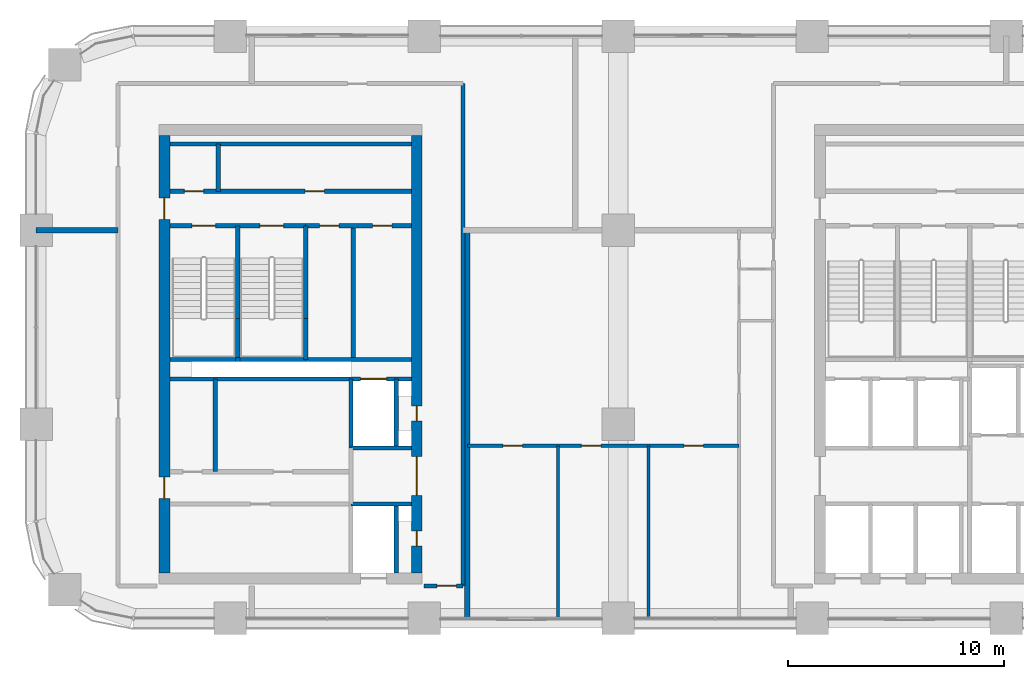
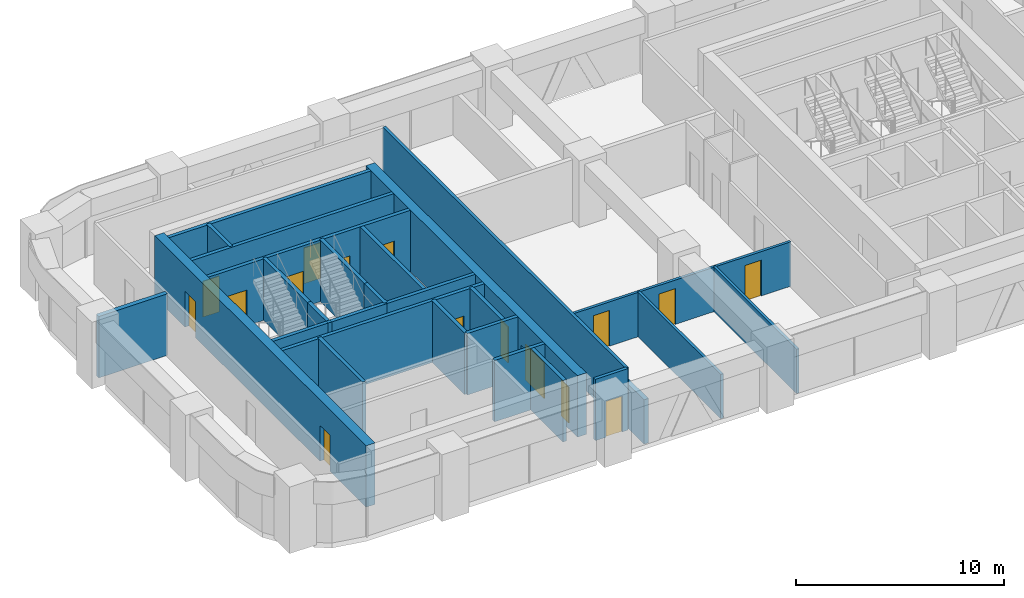
# One storey, part 9 of 19: 30 walls, 16 doors, 16 openings.
"""IFC4 building model written with IfcOpenShell, lengths in metres."""

from ifc_helpers import new_model, si_unit, direction, frame, frame_2d, origin, place, context, subcontext, project, spatial, rectangle, extrude, material, layer, layer_set, type_object, element, fill, save


model = new_model("IFC4")

# Units and contexts
model_context = context("Model", 3, precision=1e-05, world=origin(), true_north=direction((0.0, 1.0)))
body_context = subcontext(model_context, "Body", "Model", "MODEL_VIEW")
ifc_project = project(units=[si_unit("LENGTHUNIT", "METRE"), si_unit("AREAUNIT", "SQUARE_METRE"), si_unit("VOLUMEUNIT", "CUBIC_METRE"), si_unit("PLANEANGLEUNIT", "RADIAN"), si_unit("MASSUNIT", "GRAM", prefix="KILO")], contexts=[model_context])

# Site, building, storey
site_placement = place(None, origin())
site = spatial("IfcSite", under=ifc_project, at=site_placement, CompositionType="ELEMENT")
building_placement = place(site_placement, origin())
building = spatial("IfcBuilding", under=site, at=building_placement, Name="Tessera Arch", CompositionType="ELEMENT")
storey_placement = place(building_placement, frame((0.0, 0.0, 170.0)))
storey = spatial("IfcBuildingStorey", under=building, at=storey_placement, Name="L40", CompositionType="ELEMENT", Elevation=170.0)

# Walls
ifc_material_1 = material(Name="Gypsum board on steel stud", Category="steel")
ifc_layer_1 = layer(ifc_material_1, 0.125)
ifc_layer_set_1 = layer_set([ifc_layer_1], Name="Core partition 125 EI 60")
wall_type_1 = type_object("IfcWallType", Name="Core partition 125 EI 60", PredefinedType="PARTITIONING", material=ifc_layer_set_1)
wall_1_placement = place(storey_placement, frame((8.300048828125, 33.800048828125, 0.0), z_axis=(0.0, 0.0, 1.0), x_axis=(0.0, 1.0, 0.0)))
element("IfcWall", 1, at=wall_1_placement, inside=storey, type_object=wall_type_1, Name="L40 C2 partition wall 1", PredefinedType="PARTITIONING", context=body_context, shape_type="SweptSolid", body=[
    extrude(rectangle(XDim=4.300048828125, YDim=0.199951171875, at=frame_2d((2.14990234375, 0.0))), origin(), (0.0, 0.0, 1.0), 3.60009765625),
])
wall_2_placement = place(storey_placement, frame((8.43994140625, 46.800048828125, 0.0), z_axis=(0.0, 0.0, 1.0), x_axis=(0.0, 1.0, 0.0)))
element("IfcWall", 2, at=wall_2_placement, inside=storey, type_object=wall_type_1, Name="L40 C2 partition wall 2", PredefinedType="PARTITIONING", context=body_context, shape_type="SweptSolid", body=[
    extrude(rectangle(XDim=2.199951171875, YDim=0.199951171875, at=frame_2d((1.10009765625, 0.0))), origin(), (0.0, 0.0, 1.0), 3.60009765625),
])
wall_3_placement = place(storey_placement, frame((14.705078125, 39.0, 0.0), z_axis=(0.0, 0.0, 1.0), x_axis=(0.0, 1.0, 0.0)))
element("IfcWall", 3, at=wall_3_placement, inside=storey, type_object=wall_type_1, Name="L40 C2 partition wall 10", PredefinedType="PARTITIONING", context=body_context, shape_type="SweptSolid", body=[
    extrude(rectangle(XDim=6.199951171875, YDim=0.199951171875, at=frame_2d((3.10009765625, 0.0))), origin(), (0.0, 0.0, 1.0), 3.60009765625),
])

# Wall, openings, doors
wall_4_placement = place(storey_placement, frame((12.5, 45.199951171875, 0.0), z_axis=(0.0, 0.0, 1.0), x_axis=(1.0, 0.0, 0.0)))
wall_4 = element("IfcWall", 4, at=wall_4_placement, inside=storey, type_object=wall_type_1, Name="L40 C2 partition wall 22", PredefinedType="PARTITIONING", context=body_context, shape_type="SweptSolid", body=[
    extrude(rectangle(XDim=4.89990234375, YDim=0.199951171875, at=frame_2d((2.449951171875, 0.0))), origin(), (0.0, 0.0, 1.0), 3.60009765625),
])
opening_1_placement = place(wall_4_placement, frame((0.652587890625, 0.0, 0.0)))
opening_1 = element("IfcOpeningElement", 5, at=opening_1_placement, cuts=wall_4, Name="Opening L40-C30", PredefinedType="OPENING", context=body_context, shape_type="SweptSolid", body=[
    extrude(rectangle(XDim=0.89990234375, YDim=2.10009765625, at=frame_2d((0.449951171875, 1.050048828125))), frame((0.0, 0.10986328125, 0.0), z_axis=(0.0, -1.0, 0.0), x_axis=(1.0, 0.0, 0.0)), (0.0, 0.0, 1.0), 0.219970703125),
])
opening_2_placement = place(wall_4_placement, frame((3.1025390625, 0.0, 0.0)))
opening_2 = element("IfcOpeningElement", 6, at=opening_2_placement, cuts=wall_4, Name="Opening L40-C31", PredefinedType="OPENING", context=body_context, shape_type="SweptSolid", body=[
    extrude(rectangle(XDim=0.89990234375, YDim=2.10009765625, at=frame_2d((0.449951171875, 1.050048828125))), frame((0.0, 0.10986328125, 0.0), z_axis=(0.0, -1.0, 0.0), x_axis=(1.0, 0.0, 0.0)), (0.0, 0.0, 1.0), 0.219970703125),
])
ifc_material_2 = material(Name="Steel door leaf", Category="steel")
door_type_1 = type_object("IfcDoorType", Name="Store door FD30S 900 x 2100", OperationType="SINGLE_SWING_LEFT", PredefinedType="DOOR", material=ifc_material_2)
door_1_placement = place(opening_1_placement, origin())
door_1 = element("IfcDoor", 7, at=door_1_placement, inside=storey, type_object=door_type_1, Name="L40 C2 door 12 C30 type D09", OperationType="SINGLE_SWING_LEFT", OverallHeight=2.10009765625, OverallWidth=0.89990234375, PredefinedType="DOOR", context=body_context, shape_type="SweptSolid", body=[
    extrude(rectangle(XDim=0.89990234375, YDim=2.10009765625, at=frame_2d((0.449951171875, 1.050048828125))), frame((0.0, 0.02490234375, 0.0), z_axis=(0.0, -1.0, 0.0), x_axis=(1.0, 0.0, 0.0)), (0.0, 0.0, 1.0), 0.050048828125),
])
fill(opening_1, door_1)
door_2_placement = place(opening_2_placement, origin())
door_2 = element("IfcDoor", 8, at=door_2_placement, inside=storey, type_object=door_type_1, Name="L40 C2 door 13 C31 type D09", OperationType="SINGLE_SWING_RIGHT", OverallHeight=2.10009765625, OverallWidth=0.89990234375, PredefinedType="DOOR", context=body_context, shape_type="SweptSolid", body=[
    extrude(rectangle(XDim=0.89990234375, YDim=2.10009765625, at=frame_2d((0.449951171875, 1.050048828125))), frame((0.0, 0.02490234375, 0.0), z_axis=(0.0, -1.0, 0.0), x_axis=(1.0, 0.0, 0.0)), (0.0, 0.0, 1.0), 0.050048828125),
])
fill(opening_2, door_2)

wall_5_placement = place(storey_placement, frame((6.199951171875, 46.800048828125, 0.0), z_axis=(0.0, 0.0, 1.0), x_axis=(1.0, 0.0, 0.0)))
wall_5 = element("IfcWall", 9, at=wall_5_placement, inside=storey, type_object=wall_type_1, Name="L40 C2 partition wall 24", PredefinedType="PARTITIONING", context=body_context, shape_type="SweptSolid", body=[
    extrude(rectangle(XDim=11.199951171875, YDim=0.199951171875, at=frame_2d((5.60009765625, 0.0))), origin(), (0.0, 0.0, 1.0), 3.60009765625),
])
opening_3_placement = place(wall_5_placement, frame((0.669921875, 0.0, 0.0)))
opening_3 = element("IfcOpeningElement", 10, at=opening_3_placement, cuts=wall_5, Name="Opening L40-C28", PredefinedType="OPENING", context=body_context, shape_type="SweptSolid", body=[
    extrude(rectangle(XDim=0.89990234375, YDim=2.10009765625, at=frame_2d((0.449951171875, 1.050048828125))), frame((0.0, 0.10986328125, 0.0), z_axis=(0.0, -1.0, 0.0), x_axis=(1.0, 0.0, 0.0)), (0.0, 0.0, 1.0), 0.219970703125),
])
opening_4_placement = place(wall_5_placement, frame((6.27001953125, 0.0, 0.0)))
opening_4 = element("IfcOpeningElement", 11, at=opening_4_placement, cuts=wall_5, Name="Opening L40-C29", PredefinedType="OPENING", context=body_context, shape_type="SweptSolid", body=[
    extrude(rectangle(XDim=0.89990234375, YDim=2.10009765625, at=frame_2d((0.449951171875, 1.050048828125))), frame((0.0, 0.10986328125, 0.0), z_axis=(0.0, -1.0, 0.0), x_axis=(1.0, 0.0, 0.0)), (0.0, 0.0, 1.0), 0.219970703125),
])
door_3_placement = place(opening_3_placement, origin())
door_3 = element("IfcDoor", 12, at=door_3_placement, inside=storey, type_object=door_type_1, Name="L40 C2 door 10 C28 type D09", OperationType="SINGLE_SWING_LEFT", OverallHeight=2.10009765625, OverallWidth=0.89990234375, PredefinedType="DOOR", context=body_context, shape_type="SweptSolid", body=[
    extrude(rectangle(XDim=0.89990234375, YDim=2.10009765625, at=frame_2d((0.449951171875, 1.050048828125))), frame((0.0, 0.02490234375, 0.0), z_axis=(0.0, -1.0, 0.0), x_axis=(1.0, 0.0, 0.0)), (0.0, 0.0, 1.0), 0.050048828125),
])
fill(opening_3, door_3)
door_4_placement = place(opening_4_placement, origin())
door_4 = element("IfcDoor", 13, at=door_4_placement, inside=storey, type_object=door_type_1, Name="L40 C2 door 11 C29 type D09", OperationType="SINGLE_SWING_RIGHT", OverallHeight=2.10009765625, OverallWidth=0.89990234375, PredefinedType="DOOR", context=body_context, shape_type="SweptSolid", body=[
    extrude(rectangle(XDim=0.89990234375, YDim=2.10009765625, at=frame_2d((0.449951171875, 1.050048828125))), frame((0.0, 0.02490234375, 0.0), z_axis=(0.0, -1.0, 0.0), x_axis=(1.0, 0.0, 0.0)), (0.0, 0.0, 1.0), 0.050048828125),
])
fill(opening_4, door_4)

# Wall
wall_6_placement = place(storey_placement, frame((6.199951171875, 49.0, 0.0), z_axis=(0.0, 0.0, 1.0), x_axis=(1.0, 0.0, 0.0)))
element("IfcWall", 14, at=wall_6_placement, inside=storey, type_object=wall_type_1, Name="L40 C2 partition wall 25", PredefinedType="PARTITIONING", context=body_context, shape_type="SweptSolid", body=[
    extrude(rectangle(XDim=11.199951171875, YDim=0.199951171875, at=frame_2d((5.60009765625, 0.0))), origin(), (0.0, 0.0, 1.0), 3.60009765625),
])

# Wall, openings, doors
ifc_material_3 = material(Name="Concrete C60/75", Category="concrete")
ifc_layer_2 = layer(ifc_material_3, 0.5)
ifc_layer_set_2 = layer_set([ifc_layer_2], Name="Core shell wall 500 C60-75")
wall_type_2 = type_object("IfcWallType", Name="Core shell wall 500 C60-75", PredefinedType="SHEAR", material=ifc_layer_set_2)
wall_7_placement = place(storey_placement, frame((5.949951171875, 29.10009765625, 0.0), z_axis=(0.0, 0.0, 1.0), x_axis=(0.0, 1.0, 0.0)))
wall_7 = element("IfcWall", 15, at=wall_7_placement, inside=storey, type_object=wall_type_2, Name="L40 C2 core wall W", PredefinedType="SHEAR", context=body_context, shape_type="SweptSolid", body=[
    extrude(rectangle(XDim=20.2998046875, YDim=0.5, at=frame_2d((10.14990234375, 0.0))), origin(), (0.0, 0.0, 1.0), 3.60009765625),
])
opening_5_placement = place(wall_7_placement, frame((3.449951171875, 0.0, 0.0)))
opening_5 = element("IfcOpeningElement", 16, at=opening_5_placement, cuts=wall_7, Name="Opening L40-C26", PredefinedType="OPENING", context=body_context, shape_type="SweptSolid", body=[
    extrude(rectangle(XDim=1.0, YDim=2.10009765625, at=frame_2d((0.5, 1.050048828125))), frame((0.0, 0.260009765625, 0.0), z_axis=(0.0, -1.0, 0.0), x_axis=(1.0, 0.0, 0.0)), (0.0, 0.0, 1.0), 0.52001953125),
])
opening_6_placement = place(wall_7_placement, frame((16.39990234375, 0.0, 0.0)))
opening_6 = element("IfcOpeningElement", 17, at=opening_6_placement, cuts=wall_7, Name="Opening L40-C27", PredefinedType="OPENING", context=body_context, shape_type="SweptSolid", body=[
    extrude(rectangle(XDim=1.0, YDim=2.10009765625, at=frame_2d((0.5, 1.050048828125))), frame((0.0, 0.260009765625, 0.0), z_axis=(0.0, -1.0, 0.0), x_axis=(1.0, 0.0, 0.0)), (0.0, 0.0, 1.0), 0.52001953125),
])
ifc_material_4 = material(Name="Steel door leaf", Category="steel")
door_type_2 = type_object("IfcDoorType", Name="Corridor door FD60 1000 x 2100", OperationType="SINGLE_SWING_LEFT", PredefinedType="DOOR", material=ifc_material_4)
door_5_placement = place(opening_5_placement, origin())
door_5 = element("IfcDoor", 18, at=door_5_placement, inside=storey, type_object=door_type_2, Name="L40 C2 door 8 C26 type D12", OperationType="SINGLE_SWING_LEFT", OverallHeight=2.10009765625, OverallWidth=1.0, PredefinedType="DOOR", context=body_context, shape_type="SweptSolid", body=[
    extrude(rectangle(XDim=1.0, YDim=2.10009765625, at=frame_2d((0.5, 1.050048828125))), frame((0.0, 0.02490234375, 0.0), z_axis=(0.0, -1.0, 0.0), x_axis=(1.0, 0.0, 0.0)), (0.0, 0.0, 1.0), 0.050048828125),
])
fill(opening_5, door_5)
door_6_placement = place(opening_6_placement, origin())
door_6 = element("IfcDoor", 19, at=door_6_placement, inside=storey, type_object=door_type_2, Name="L40 C2 door 9 C27 type D12", OperationType="SINGLE_SWING_RIGHT", OverallHeight=2.10009765625, OverallWidth=1.0, PredefinedType="DOOR", context=body_context, shape_type="SweptSolid", body=[
    extrude(rectangle(XDim=1.0, YDim=2.10009765625, at=frame_2d((0.5, 1.050048828125))), frame((0.0, 0.02490234375, 0.0), z_axis=(0.0, -1.0, 0.0), x_axis=(1.0, 0.0, 0.0)), (0.0, 0.0, 1.0), 0.050048828125),
])
fill(opening_6, door_6)

wall_8_placement = place(storey_placement, frame((17.64990234375, 29.10009765625, 0.0), z_axis=(0.0, 0.0, 1.0), x_axis=(0.0, 1.0, 0.0)))
wall_8 = element("IfcWall", 20, at=wall_8_placement, inside=storey, type_object=wall_type_2, Name="L40 C2 core wall E", PredefinedType="SHEAR", context=body_context, shape_type="SweptSolid", body=[
    extrude(rectangle(XDim=20.2998046875, YDim=0.5, at=frame_2d((10.14990234375, 0.0))), origin(), (0.0, 0.0, 1.0), 3.60009765625),
])
opening_7_placement = place(wall_8_placement, frame((1.25, 0.0, 0.0)))
opening_7 = element("IfcOpeningElement", 21, at=opening_7_placement, cuts=wall_8, Name="Opening L40-C21", PredefinedType="OPENING", context=body_context, shape_type="SweptSolid", body=[
    extrude(rectangle(XDim=0.699951171875, YDim=2.10009765625, at=frame_2d((0.35009765625, 1.050048828125))), frame((0.0, 0.260009765625, 0.0), z_axis=(0.0, -1.0, 0.0), x_axis=(1.0, 0.0, 0.0)), (0.0, 0.0, 1.0), 0.52001953125),
])
opening_8_placement = place(wall_8_placement, frame((7.050048828125, 0.0, 0.0)))
opening_8 = element("IfcOpeningElement", 22, at=opening_8_placement, cuts=wall_8, Name="Opening L40-C22", PredefinedType="OPENING", context=body_context, shape_type="SweptSolid", body=[
    extrude(rectangle(XDim=0.699951171875, YDim=2.10009765625, at=frame_2d((0.35009765625, 1.050048828125))), frame((0.0, 0.260009765625, 0.0), z_axis=(0.0, -1.0, 0.0), x_axis=(1.0, 0.0, 0.0)), (0.0, 0.0, 1.0), 0.52001953125),
])
opening_9_placement = place(wall_8_placement, frame((3.60009765625, 0.0, 0.0)))
opening_9 = element("IfcOpeningElement", 23, at=opening_9_placement, cuts=wall_8, Name="Opening L40-C25", PredefinedType="OPENING", context=body_context, shape_type="SweptSolid", body=[
    extrude(rectangle(XDim=1.800048828125, YDim=2.10009765625, at=frame_2d((0.89990234375, 1.050048828125))), frame((0.0, 0.260009765625, 0.0), z_axis=(0.0, -1.0, 0.0), x_axis=(1.0, 0.0, 0.0)), (0.0, 0.0, 1.0), 0.52001953125),
])
ifc_material_5 = material(Name="Glazed steel door leaf", Category="steel")
door_type_3 = type_object("IfcDoorType", Name="Lobby double door FD30S 1800 x 2100", OperationType="DOUBLE_DOOR_SINGLE_SWING", PredefinedType="DOOR", material=ifc_material_5)
door_7_placement = place(opening_9_placement, origin())
door_7 = element("IfcDoor", 24, at=door_7_placement, inside=storey, type_object=door_type_3, Name="L40 C2 door 7 C25 type D06", OperationType="DOUBLE_DOOR_SINGLE_SWING", OverallHeight=2.10009765625, OverallWidth=1.800048828125, PredefinedType="DOOR", context=body_context, shape_type="SweptSolid", body=[
    extrude(rectangle(XDim=1.800048828125, YDim=2.10009765625, at=frame_2d((0.89990234375, 1.050048828125))), frame((0.0, 0.02490234375, 0.0), z_axis=(0.0, -1.0, 0.0), x_axis=(1.0, 0.0, 0.0)), (0.0, 0.0, 1.0), 0.050048828125),
])
fill(opening_9, door_7)
ifc_material_6 = material(Name="Steel door leaf", Category="steel")
door_type_4 = type_object("IfcDoorType", Name="Service shaft door FD60 700 x 2100", OperationType="SINGLE_SWING_LEFT", PredefinedType="DOOR", material=ifc_material_6)
door_8_placement = place(opening_7_placement, origin())
door_8 = element("IfcDoor", 25, at=door_8_placement, inside=storey, type_object=door_type_4, Name="L40 C2 door 3 C21 type D07", OperationType="SINGLE_SWING_LEFT", OverallHeight=2.10009765625, OverallWidth=0.699951171875, PredefinedType="DOOR", context=body_context, shape_type="SweptSolid", body=[
    extrude(rectangle(XDim=0.699951171875, YDim=2.10009765625, at=frame_2d((0.35009765625, 1.050048828125))), frame((0.0, 0.02490234375, 0.0), z_axis=(0.0, -1.0, 0.0), x_axis=(1.0, 0.0, 0.0)), (0.0, 0.0, 1.0), 0.050048828125),
])
fill(opening_7, door_8)
door_9_placement = place(opening_8_placement, origin())
door_9 = element("IfcDoor", 26, at=door_9_placement, inside=storey, type_object=door_type_4, Name="L40 C2 door 4 C22 type D07", OperationType="SINGLE_SWING_LEFT", OverallHeight=2.10009765625, OverallWidth=0.699951171875, PredefinedType="DOOR", context=body_context, shape_type="SweptSolid", body=[
    extrude(rectangle(XDim=0.699951171875, YDim=2.10009765625, at=frame_2d((0.35009765625, 1.050048828125))), frame((0.0, 0.02490234375, 0.0), z_axis=(0.0, -1.0, 0.0), x_axis=(1.0, 0.0, 0.0)), (0.0, 0.0, 1.0), 0.050048828125),
])
fill(opening_8, door_9)

# Wall, opening, door
ifc_material_7 = material(Name="Gypsum board on deep steel stud with mineral wool", Category="steel")
ifc_layer_3 = layer(ifc_material_7, 0.175048828125)
ifc_layer_set_3 = layer_set([ifc_layer_3], Name="Corridor wall 175 EI 60")
wall_type_3 = type_object("IfcWallType", Name="Corridor wall 175 EI 60", PredefinedType="PARTITIONING", material=ifc_layer_set_3)
wall_9_placement = place(storey_placement, frame((18.0, 28.5, 0.0), z_axis=(0.0, 0.0, 1.0), x_axis=(1.0, 0.0, 0.0)))
wall_9 = element("IfcWall", 27, at=wall_9_placement, inside=storey, type_object=wall_type_3, Name="L40 partition 2", PredefinedType="PARTITIONING", context=body_context, shape_type="SweptSolid", body=[
    extrude(rectangle(XDim=1.800048828125, YDim=0.175048828125, at=frame_2d((0.89990234375, 0.0))), origin(), (0.0, 0.0, 1.0), 3.60009765625),
])
opening_10_placement = place(wall_9_placement, frame((0.590087890625, 0.0, 0.0)))
opening_10 = element("IfcOpeningElement", 28, at=opening_10_placement, cuts=wall_9, Name="Opening L40-D001", PredefinedType="OPENING", context=body_context, shape_type="SweptSolid", body=[
    extrude(rectangle(XDim=0.89990234375, YDim=2.10009765625, at=frame_2d((0.449951171875, 1.050048828125))), frame((0.0, 0.097412109375, 0.0), z_axis=(0.0, -1.0, 0.0), x_axis=(1.0, 0.0, 0.0)), (0.0, 0.0, 1.0), 0.195068359375),
])
ifc_material_8 = material(Name="Timber door leaf", Category="wood")
door_type_5 = type_object("IfcDoorType", Name="Room door 900 x 2100", OperationType="SINGLE_SWING_LEFT", PredefinedType="DOOR", material=ifc_material_8)
door_10_placement = place(opening_10_placement, origin())
door_10 = element("IfcDoor", 29, at=door_10_placement, inside=storey, type_object=door_type_5, Name="L40 door D001 type D01", OperationType="SINGLE_SWING_RIGHT", OverallHeight=2.10009765625, OverallWidth=0.89990234375, PredefinedType="DOOR", context=body_context, shape_type="SweptSolid", body=[
    extrude(rectangle(XDim=0.89990234375, YDim=2.10009765625, at=frame_2d((0.449951171875, 1.050048828125))), frame((0.0, 0.02490234375, 0.0), z_axis=(0.0, -1.0, 0.0), x_axis=(1.0, 0.0, 0.0)), (0.0, 0.0, 1.0), 0.050048828125),
])
fill(opening_10, door_10)

# Wall
wall_10_placement = place(storey_placement, frame((19.800048828125, 28.5, 0.0), z_axis=(0.0, 0.0, 1.0), x_axis=(0.0, 1.0, 0.0)))
element("IfcWall", 30, at=wall_10_placement, inside=storey, type_object=wall_type_3, Name="L40 partition 8", PredefinedType="PARTITIONING", context=body_context, shape_type="SweptSolid", body=[
    extrude(rectangle(XDim=23.300048828125, YDim=0.175048828125, at=frame_2d((11.64990234375, 0.0))), origin(), (0.0, 0.0, 1.0), 3.60009765625),
])

# Wall, openings, doors
ifc_material_9 = material(Name="Gypsum board on steel stud", Category="steel")
ifc_layer_4 = layer(ifc_material_9, 0.14990234375)
ifc_layer_set_4 = layer_set([ifc_layer_4], Name="Partition 150")
wall_type_4 = type_object("IfcWallType", Name="Partition 150", PredefinedType="PARTITIONING", material=ifc_layer_set_4)
wall_11_placement = place(storey_placement, frame((20.0, 35.0, 0.0), z_axis=(0.0, 0.0, 1.0), x_axis=(1.0, 0.0, 0.0)))
wall_11 = element("IfcWall", 31, at=wall_11_placement, inside=storey, type_object=wall_type_4, Name="L40 partition 11", PredefinedType="PARTITIONING", context=body_context, shape_type="SweptSolid", body=[
    extrude(rectangle(XDim=12.60009765625, YDim=0.14990234375, at=frame_2d((6.300048828125, 0.0))), origin(), (0.0, 0.0, 1.0), 2.60009765625),
])
opening_11_placement = place(wall_11_placement, frame((10.050048828125, 0.0, 0.0)))
opening_11 = element("IfcOpeningElement", 32, at=opening_11_placement, cuts=wall_11, Name="Opening L40-D008", PredefinedType="OPENING", context=body_context, shape_type="SweptSolid", body=[
    extrude(rectangle(XDim=0.89990234375, YDim=2.10009765625, at=frame_2d((0.449951171875, 1.050048828125))), frame((0.0, 0.0849609375, 0.0), z_axis=(0.0, -1.0, 0.0), x_axis=(1.0, 0.0, 0.0)), (0.0, 0.0, 1.0), 0.169921875),
])
opening_12_placement = place(wall_11_placement, frame((5.2900390625, 0.0, 0.0)))
opening_12 = element("IfcOpeningElement", 33, at=opening_12_placement, cuts=wall_11, Name="Opening L40-D009", PredefinedType="OPENING", context=body_context, shape_type="SweptSolid", body=[
    extrude(rectangle(XDim=0.89990234375, YDim=2.10009765625, at=frame_2d((0.449951171875, 1.050048828125))), frame((0.0, 0.0849609375, 0.0), z_axis=(0.0, -1.0, 0.0), x_axis=(1.0, 0.0, 0.0)), (0.0, 0.0, 1.0), 0.169921875),
])
opening_13_placement = place(wall_11_placement, frame((1.64990234375, 0.0, 0.0)))
opening_13 = element("IfcOpeningElement", 34, at=opening_13_placement, cuts=wall_11, Name="Opening L40-D010", PredefinedType="OPENING", context=body_context, shape_type="SweptSolid", body=[
    extrude(rectangle(XDim=0.89990234375, YDim=2.10009765625, at=frame_2d((0.449951171875, 1.050048828125))), frame((0.0, 0.0849609375, 0.0), z_axis=(0.0, -1.0, 0.0), x_axis=(1.0, 0.0, 0.0)), (0.0, 0.0, 1.0), 0.169921875),
])
door_11_placement = place(opening_11_placement, origin())
door_11 = element("IfcDoor", 35, at=door_11_placement, inside=storey, type_object=door_type_5, Name="L40 door D008 type D01", OperationType="SINGLE_SWING_LEFT", OverallHeight=2.10009765625, OverallWidth=0.89990234375, PredefinedType="DOOR", context=body_context, shape_type="SweptSolid", body=[
    extrude(rectangle(XDim=0.89990234375, YDim=2.10009765625, at=frame_2d((0.449951171875, 1.050048828125))), frame((0.0, 0.02490234375, 0.0), z_axis=(0.0, -1.0, 0.0), x_axis=(1.0, 0.0, 0.0)), (0.0, 0.0, 1.0), 0.050048828125),
])
fill(opening_11, door_11)
door_12_placement = place(opening_12_placement, origin())
door_12 = element("IfcDoor", 36, at=door_12_placement, inside=storey, type_object=door_type_5, Name="L40 door D009 type D01", OperationType="SINGLE_SWING_LEFT", OverallHeight=2.10009765625, OverallWidth=0.89990234375, PredefinedType="DOOR", context=body_context, shape_type="SweptSolid", body=[
    extrude(rectangle(XDim=0.89990234375, YDim=2.10009765625, at=frame_2d((0.449951171875, 1.050048828125))), frame((0.0, 0.02490234375, 0.0), z_axis=(0.0, -1.0, 0.0), x_axis=(1.0, 0.0, 0.0)), (0.0, 0.0, 1.0), 0.050048828125),
])
fill(opening_12, door_12)
door_13_placement = place(opening_13_placement, origin())
door_13 = element("IfcDoor", 37, at=door_13_placement, inside=storey, type_object=door_type_5, Name="L40 door D010 type D01", OperationType="SINGLE_SWING_LEFT", OverallHeight=2.10009765625, OverallWidth=0.89990234375, PredefinedType="DOOR", context=body_context, shape_type="SweptSolid", body=[
    extrude(rectangle(XDim=0.89990234375, YDim=2.10009765625, at=frame_2d((0.449951171875, 1.050048828125))), frame((0.0, 0.02490234375, 0.0), z_axis=(0.0, -1.0, 0.0), x_axis=(1.0, 0.0, 0.0)), (0.0, 0.0, 1.0), 0.050048828125),
])
fill(opening_13, door_13)

# Walls
for number, where, z_axis, x_axis, name in (
    (38, (24.199951171875, 27.0, 0.0), (0.0, 0.0, 1.0), (0.0, 1.0, 0.0), "L40 partition 12"),
    (39, (28.39990234375, 27.0, 0.0), (0.0, 0.0, 1.0), (0.0, 1.0, 0.0), "L40 partition 13"),
):
    element("IfcWall", number, at=place(storey_placement, frame(where, z_axis=z_axis, x_axis=x_axis)), inside=storey, type_object=wall_type_4, Name=name, PredefinedType="PARTITIONING", context=body_context, shape_type="SweptSolid", body=[
        extrude(rectangle(XDim=8.0, YDim=0.14990234375, at=frame_2d((4.0, 0.0))), origin(), (0.0, 0.0, 1.0), 2.60009765625),
    ])
ifc_material_10 = material(Name="Double gypsum board on twin steel stud with acoustic mineral wool", Category="steel")
ifc_layer_5 = layer(ifc_material_10, 0.25)
ifc_layer_set_5 = layer_set([ifc_layer_5], Name="Party wall 250 EI 60")
wall_type_5 = type_object("IfcWallType", Name="Party wall 250 EI 60", PredefinedType="PARTITIONING", material=ifc_layer_set_5)
wall_12_placement = place(storey_placement, frame((0.0, 45.0, 0.0), z_axis=(0.0, 0.0, 1.0), x_axis=(1.0, 0.0, 0.0)))
element("IfcWall", 40, at=wall_12_placement, inside=storey, type_object=wall_type_5, Name="L40 partition 16", PredefinedType="PARTITIONING", context=body_context, shape_type="SweptSolid", body=[
    extrude(rectangle(XDim=3.800048828125, YDim=0.25, at=frame_2d((1.89990234375, 0.0))), origin(), (0.0, 0.0, 1.0), 3.60009765625),
])
wall_13_placement = place(storey_placement, frame((20.0, 27.0, 0.0), z_axis=(0.0, 0.0, 1.0), x_axis=(0.0, 1.0, 0.0)))
element("IfcWall", 41, at=wall_13_placement, inside=storey, type_object=wall_type_5, Name="L40 partition 21", PredefinedType="PARTITIONING", context=body_context, shape_type="SweptSolid", body=[
    extrude(rectangle(XDim=18.0, YDim=0.25, at=frame_2d((9.0, 0.0))), origin(), (0.0, 0.0, 1.0), 2.60009765625),
])
ifc_material_11 = material(Name="Concrete C40/50", Category="concrete")
ifc_layer_6 = layer(ifc_material_11, 0.199951171875)
ifc_layer_set_6 = layer_set([ifc_layer_6], Name="Shaft wall 200 EI 120")
wall_type_6 = type_object("IfcWallType", Name="Shaft wall 200 EI 120", PredefinedType="SOLIDWALL", material=ifc_layer_set_6)
wall_14_placement = place(storey_placement, frame((14.60009765625, 34.89990234375, 0.0), z_axis=(0.0, 0.0, 1.0), x_axis=(0.0, 1.0, 0.0)))
element("IfcWall", 42, at=wall_14_placement, inside=storey, type_object=wall_type_6, Name="L40 C2 shaft wall 9", PredefinedType="SOLIDWALL", context=body_context, shape_type="SweptSolid", body=[
    extrude(rectangle(XDim=3.2001953125, YDim=0.199951171875, at=frame_2d((1.60009765625, 0.0))), origin(), (0.0, 0.0, 1.0), 3.60009765625),
])
wall_15_placement = place(storey_placement, frame((16.699951171875, 29.10009765625, 0.0), z_axis=(0.0, 0.0, 1.0), x_axis=(0.0, 1.0, 0.0)))
element("IfcWall", 43, at=wall_15_placement, inside=storey, type_object=wall_type_6, Name="L40 C2 shaft wall 11", PredefinedType="SOLIDWALL", context=body_context, shape_type="SweptSolid", body=[
    extrude(rectangle(XDim=3.199951171875, YDim=0.199951171875, at=frame_2d((1.60009765625, 0.0))), origin(), (0.0, 0.0, 1.0), 3.60009765625),
])
wall_16_placement = place(storey_placement, frame((16.699951171875, 34.89990234375, 0.0), z_axis=(0.0, 0.0, 1.0), x_axis=(0.0, 1.0, 0.0)))
element("IfcWall", 44, at=wall_16_placement, inside=storey, type_object=wall_type_6, Name="L40 C2 shaft wall 12", PredefinedType="SOLIDWALL", context=body_context, shape_type="SweptSolid", body=[
    extrude(rectangle(XDim=3.2001953125, YDim=0.199951171875, at=frame_2d((1.60009765625, 0.0))), origin(), (0.0, 0.0, 1.0), 3.60009765625),
])
for number, where, z_axis, x_axis, name in (
    (45, (14.60009765625, 32.300048828125, 0.0), (0.0, 0.0, 1.0), (1.0, 0.0, 0.0), "L40 C2 shaft wall 14"),
    (46, (14.60009765625, 34.89990234375, 0.0), (0.0, 0.0, 1.0), (1.0, 0.0, 0.0), "L40 C2 shaft wall 16"),
):
    element("IfcWall", number, at=place(storey_placement, frame(where, z_axis=z_axis, x_axis=x_axis)), inside=storey, type_object=wall_type_6, Name=name, PredefinedType="SOLIDWALL", context=body_context, shape_type="SweptSolid", body=[
        extrude(rectangle(XDim=2.7998046875, YDim=0.199951171875, at=frame_2d((1.39990234375, 0.0))), origin(), (0.0, 0.0, 1.0), 3.60009765625),
    ])

# Wall, opening, door
wall_17_placement = place(storey_placement, frame((6.199951171875, 38.10009765625, 0.0), z_axis=(0.0, 0.0, 1.0), x_axis=(1.0, 0.0, 0.0)))
wall_17 = element("IfcWall", 47, at=wall_17_placement, inside=storey, type_object=wall_type_6, Name="L40 C2 shaft wall 17", PredefinedType="SOLIDWALL", context=body_context, shape_type="SweptSolid", body=[
    extrude(rectangle(XDim=11.199951171875, YDim=0.199951171875, at=frame_2d((5.60009765625, 0.0))), origin(), (0.0, 0.0, 1.0), 3.60009765625),
])
opening_14_placement = place(wall_17_placement, frame((8.85009765625, 0.0, 0.0)))
opening_14 = element("IfcOpeningElement", 48, at=opening_14_placement, cuts=wall_17, Name="Opening L40-C20", PredefinedType="OPENING", context=body_context, shape_type="SweptSolid", body=[
    extrude(rectangle(XDim=1.199951171875, YDim=2.10009765625, at=frame_2d((0.60009765625, 1.050048828125))), frame((0.0, 0.10986328125, 0.0), z_axis=(0.0, -1.0, 0.0), x_axis=(1.0, 0.0, 0.0)), (0.0, 0.0, 1.0), 0.219970703125),
])
ifc_material_12 = material(Name="Stainless steel AISI 304", Category="steel")
door_type_6 = type_object("IfcDoorType", Name="Sliding landing door 1200 x 2100", OperationType="SLIDING_TO_LEFT", PredefinedType="DOOR", material=ifc_material_12)
door_14_placement = place(opening_14_placement, origin())
door_14 = element("IfcDoor", 49, at=door_14_placement, inside=storey, type_object=door_type_6, Name="L40 HR8 lift landing door C20 type LD", OperationType="SLIDING_TO_LEFT", OverallHeight=2.10009765625, OverallWidth=1.199951171875, PredefinedType="DOOR", context=body_context, shape_type="SweptSolid", body=[
    extrude(rectangle(XDim=1.199951171875, YDim=2.10009765625, at=frame_2d((0.60009765625, 1.050048828125))), frame((0.0, 0.02490234375, 0.0), z_axis=(0.0, -1.0, 0.0), x_axis=(1.0, 0.0, 0.0)), (0.0, 0.0, 1.0), 0.050048828125),
])
fill(opening_14, door_14)

# Walls
wall_18_placement = place(storey_placement, frame((12.5, 39.0, 0.0), z_axis=(0.0, 0.0, 1.0), x_axis=(1.0, 0.0, 0.0)))
element("IfcWall", 50, at=wall_18_placement, inside=storey, type_object=wall_type_6, Name="L40 C2 shaft wall 18", PredefinedType="SOLIDWALL", context=body_context, shape_type="SweptSolid", body=[
    extrude(rectangle(XDim=4.89990234375, YDim=0.199951171875, at=frame_2d((2.449951171875, 0.0))), origin(), (0.0, 0.0, 1.0), 3.60009765625),
])
ifc_material_13 = material(Name="Concrete C40/50", Category="concrete")
ifc_layer_7 = layer(ifc_material_13, 0.199951171875)
ifc_layer_set_7 = layer_set([ifc_layer_7], Name="Stair well wall 200 REI 180")
wall_type_7 = type_object("IfcWallType", Name="Stair well wall 200 REI 180", PredefinedType="SOLIDWALL", material=ifc_layer_set_7)
wall_19_placement = place(storey_placement, frame((9.35009765625, 39.0, 0.0), z_axis=(0.0, 0.0, 1.0), x_axis=(0.0, 1.0, 0.0)))
element("IfcWall", 51, at=wall_19_placement, inside=storey, type_object=wall_type_7, Name="L40 C2 shaft wall 3", PredefinedType="SOLIDWALL", context=body_context, shape_type="SweptSolid", body=[
    extrude(rectangle(XDim=1.89990234375, YDim=0.199951171875, at=frame_2d((0.949951171875, 0.0))), origin(), (0.0, 0.0, 1.0), 3.60009765625),
])
wall_20_placement = place(storey_placement, frame((9.35009765625, 40.89990234375, 0.0), z_axis=(0.0, 0.0, 1.0), x_axis=(0.0, 1.0, 0.0)))
element("IfcWall", 52, at=wall_20_placement, inside=storey, type_object=wall_type_7, Name="L40 C2 shaft wall 4", PredefinedType="SOLIDWALL", context=body_context, shape_type="SweptSolid", body=[
    extrude(rectangle(XDim=4.300048828125, YDim=0.199951171875, at=frame_2d((2.14990234375, 0.0))), origin(), (0.0, 0.0, 1.0), 3.60009765625),
])
wall_21_placement = place(storey_placement, frame((12.5, 39.0, 0.0), z_axis=(0.0, 0.0, 1.0), x_axis=(0.0, 1.0, 0.0)))
element("IfcWall", 53, at=wall_21_placement, inside=storey, type_object=wall_type_7, Name="L40 C2 shaft wall 5", PredefinedType="SOLIDWALL", context=body_context, shape_type="SweptSolid", body=[
    extrude(rectangle(XDim=1.89990234375, YDim=0.199951171875, at=frame_2d((0.949951171875, 0.0))), origin(), (0.0, 0.0, 1.0), 3.60009765625),
])
wall_22_placement = place(storey_placement, frame((12.5, 40.89990234375, 0.0), z_axis=(0.0, 0.0, 1.0), x_axis=(0.0, 1.0, 0.0)))
element("IfcWall", 54, at=wall_22_placement, inside=storey, type_object=wall_type_7, Name="L40 C2 shaft wall 6", PredefinedType="SOLIDWALL", context=body_context, shape_type="SweptSolid", body=[
    extrude(rectangle(XDim=4.300048828125, YDim=0.199951171875, at=frame_2d((2.14990234375, 0.0))), origin(), (0.0, 0.0, 1.0), 3.60009765625),
])
wall_23_placement = place(storey_placement, frame((6.199951171875, 39.0, 0.0), z_axis=(0.0, 0.0, 1.0), x_axis=(1.0, 0.0, 0.0)))
element("IfcWall", 55, at=wall_23_placement, inside=storey, type_object=wall_type_7, Name="L40 C2 shaft wall 19", PredefinedType="SOLIDWALL", context=body_context, shape_type="SweptSolid", body=[
    extrude(rectangle(XDim=3.050048828125, YDim=0.199951171875, at=frame_2d((1.52490234375, 0.0))), origin(), (0.0, 0.0, 1.0), 3.60009765625),
])
wall_24_placement = place(storey_placement, frame((9.25, 39.0, 0.0), z_axis=(0.0, 0.0, 1.0), x_axis=(1.0, 0.0, 0.0)))
element("IfcWall", 56, at=wall_24_placement, inside=storey, type_object=wall_type_7, Name="L40 C2 shaft wall 20", PredefinedType="SOLIDWALL", context=body_context, shape_type="SweptSolid", body=[
    extrude(rectangle(XDim=0.199951171875, YDim=0.199951171875, at=frame_2d((0.10009765625, 0.0))), origin(), (0.0, 0.0, 1.0), 3.60009765625),
])
wall_25_placement = place(storey_placement, frame((9.449951171875, 39.0, 0.0), z_axis=(0.0, 0.0, 1.0), x_axis=(1.0, 0.0, 0.0)))
element("IfcWall", 57, at=wall_25_placement, inside=storey, type_object=wall_type_7, Name="L40 C2 shaft wall 21", PredefinedType="SOLIDWALL", context=body_context, shape_type="SweptSolid", body=[
    extrude(rectangle(XDim=3.050048828125, YDim=0.199951171875, at=frame_2d((1.52490234375, 0.0))), origin(), (0.0, 0.0, 1.0), 3.60009765625),
])

# Wall, openings, doors
wall_26_placement = place(storey_placement, frame((6.199951171875, 45.199951171875, 0.0), z_axis=(0.0, 0.0, 1.0), x_axis=(1.0, 0.0, 0.0)))
wall_26 = element("IfcWall", 58, at=wall_26_placement, inside=storey, type_object=wall_type_7, Name="L40 C2 shaft wall 23", PredefinedType="SOLIDWALL", context=body_context, shape_type="SweptSolid", body=[
    extrude(rectangle(XDim=6.300048828125, YDim=0.199951171875, at=frame_2d((3.14990234375, 0.0))), origin(), (0.0, 0.0, 1.0), 3.60009765625),
])
opening_15_placement = place(wall_26_placement, frame((1.02490234375, 0.0, 0.0)))
opening_15 = element("IfcOpeningElement", 59, at=opening_15_placement, cuts=wall_26, Name="Opening L40-C23", PredefinedType="OPENING", context=body_context, shape_type="SweptSolid", body=[
    extrude(rectangle(XDim=1.10009765625, YDim=2.10009765625, at=frame_2d((0.550048828125, 1.050048828125))), frame((0.0, 0.10986328125, 0.0), z_axis=(0.0, -1.0, 0.0), x_axis=(1.0, 0.0, 0.0)), (0.0, 0.0, 1.0), 0.219970703125),
])
opening_16_placement = place(wall_26_placement, frame((4.175048828125, 0.0, 0.0)))
opening_16 = element("IfcOpeningElement", 60, at=opening_16_placement, cuts=wall_26, Name="Opening L40-C24", PredefinedType="OPENING", context=body_context, shape_type="SweptSolid", body=[
    extrude(rectangle(XDim=1.10009765625, YDim=2.10009765625, at=frame_2d((0.550048828125, 1.050048828125))), frame((0.0, 0.10986328125, 0.0), z_axis=(0.0, -1.0, 0.0), x_axis=(1.0, 0.0, 0.0)), (0.0, 0.0, 1.0), 0.219970703125),
])
ifc_material_14 = material(Name="Steel door leaf", Category="steel")
door_type_7 = type_object("IfcDoorType", Name="Stair door FD60 1100 x 2100", OperationType="SINGLE_SWING_LEFT", PredefinedType="DOOR", material=ifc_material_14)
door_15_placement = place(opening_15_placement, origin())
door_15 = element("IfcDoor", 61, at=door_15_placement, inside=storey, type_object=door_type_7, Name="L40 C2 door 5 C23 type D05", OperationType="SINGLE_SWING_LEFT", OverallHeight=2.10009765625, OverallWidth=1.10009765625, PredefinedType="DOOR", context=body_context, shape_type="SweptSolid", body=[
    extrude(rectangle(XDim=1.10009765625, YDim=2.10009765625, at=frame_2d((0.550048828125, 1.050048828125))), frame((0.0, 0.02490234375, 0.0), z_axis=(0.0, -1.0, 0.0), x_axis=(1.0, 0.0, 0.0)), (0.0, 0.0, 1.0), 0.050048828125),
])
fill(opening_15, door_15)
door_16_placement = place(opening_16_placement, origin())
door_16 = element("IfcDoor", 62, at=door_16_placement, inside=storey, type_object=door_type_7, Name="L40 C2 door 6 C24 type D05", OperationType="SINGLE_SWING_RIGHT", OverallHeight=2.10009765625, OverallWidth=1.10009765625, PredefinedType="DOOR", context=body_context, shape_type="SweptSolid", body=[
    extrude(rectangle(XDim=1.10009765625, YDim=2.10009765625, at=frame_2d((0.550048828125, 1.050048828125))), frame((0.0, 0.02490234375, 0.0), z_axis=(0.0, -1.0, 0.0), x_axis=(1.0, 0.0, 0.0)), (0.0, 0.0, 1.0), 0.050048828125),
])
fill(opening_16, door_16)

save(model, "model.ifc")
